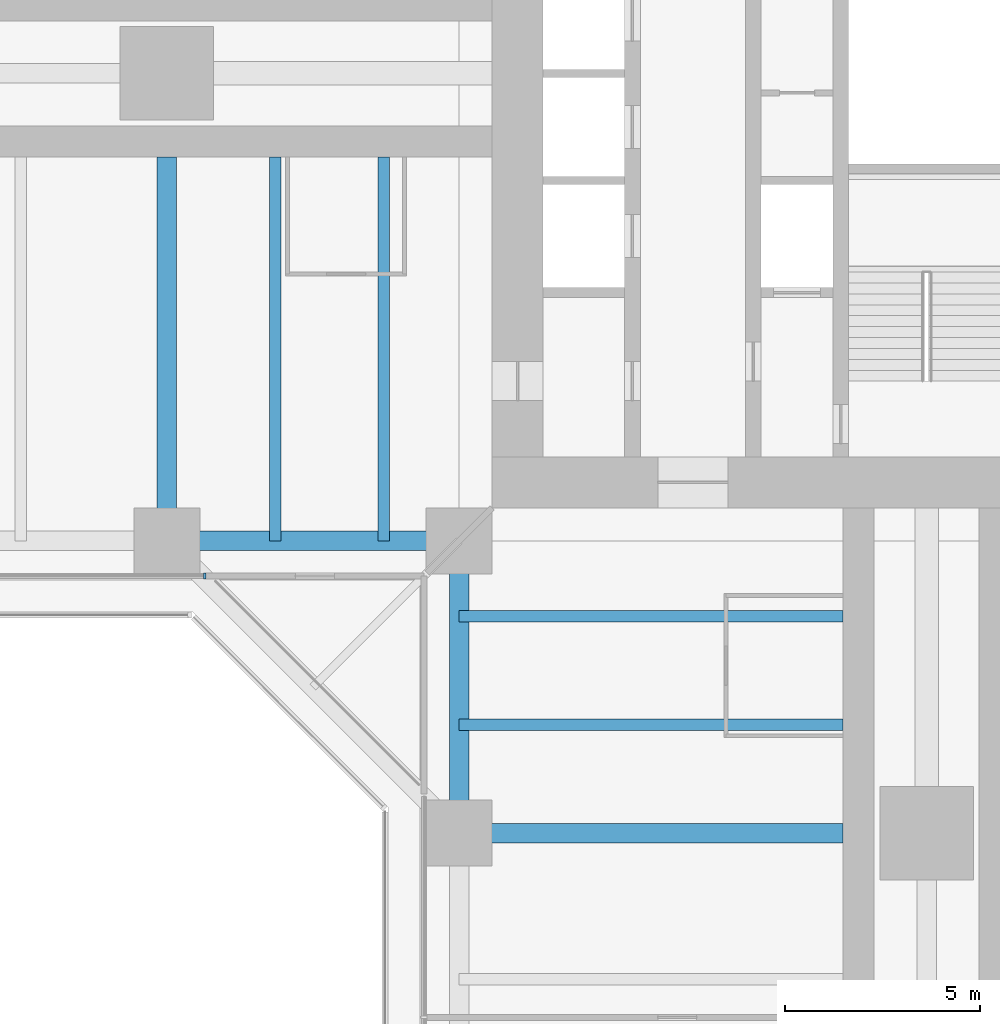
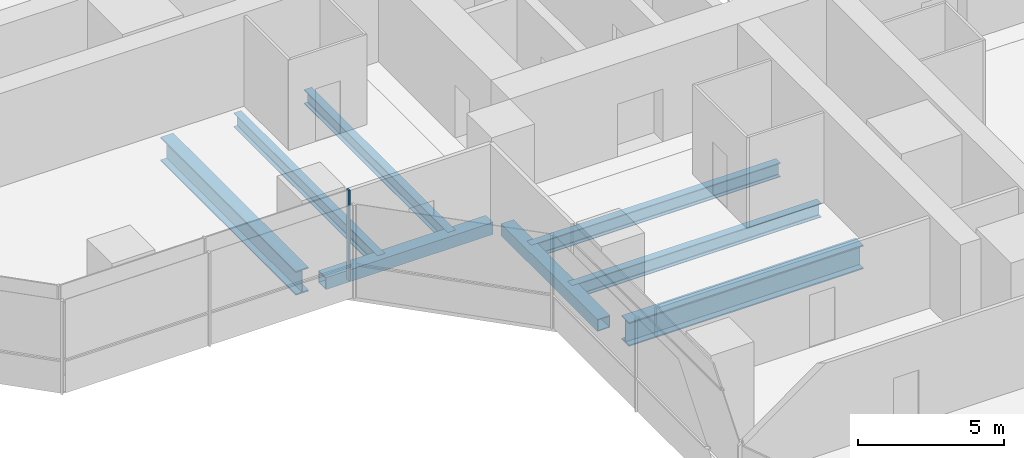
# One storey, part 4 of 22: 8 beams, 1 member, 1 element without a shape of its own.
"""IFC4 building model written with IfcOpenShell, lengths in metres."""

import ifcopenshell
import ifcopenshell.guid

model = None  # the IFC model being written
_history = None  # IfcOwnerHistory: only IFC2X3 demands one
_inside = {}  # id of a spatial element -> (the spatial element, [elements in it])
_under = {}  # id of a project, library or spatial element -> (it, [spatial elements below it])
_declared = {}  # id of a project -> (the project, [libraries it declares])
_typed = {}  # id of a type object -> (the type object, [elements of that type])
_made_of = {}  # id of a material, layer set ... -> (it, [elements and type objects made of it])


def new_model(schema):
    """Start an empty IFC model of exactly this schema.

    Asked for "IFC4X3", IfcOpenShell would pick the latest addendum, in which some entities
    have other attributes; the version numbers below select the first issue.
    IFC2X3 requires an IfcOwnerHistory on every rooted entity: one is made here for all.
    """
    global model, _history
    if schema == "IFC4X3":
        model = ifcopenshell.file(schema_version=(4, 3, 0, 0))
    else:
        model = ifcopenshell.file(schema=schema)
    _inside.clear()
    _under.clear()
    _declared.clear()
    _typed.clear()
    _made_of.clear()
    _history = None
    if model.schema == "IFC2X3":
        org = make("IfcOrganization", Name="unknown")
        user = make(
            "IfcPersonAndOrganization",
            ThePerson=make("IfcPerson", FamilyName="unknown"),
            TheOrganization=org,
        )
        app = make(
            "IfcApplication",
            ApplicationDeveloper=org,
            Version="unknown",
            ApplicationFullName="unknown",
            ApplicationIdentifier="unknown",
        )
        _history = make(
            "IfcOwnerHistory",
            OwningUser=user,
            OwningApplication=app,
            ChangeAction="ADDED",
            CreationDate=0,
        )
    return model


def make(cls, **values):
    """One entity of the class cls with the attributes given. An attribute that is None is left unset."""
    return model.create_entity(
        cls, **{name: value for name, value in values.items() if value is not None}
    )


def rooted(cls, **values):
    """An entity with a GlobalId (a new one), such as an element, a storey or a relation."""
    return make(cls, GlobalId=ifcopenshell.guid.new(), OwnerHistory=_history, **values)


def si_unit(unit_type, name, prefix=None):
    """IfcSIUnit, for example si_unit("LENGTHUNIT", "METRE", prefix="MILLI")."""
    return make("IfcSIUnit", UnitType=unit_type, Prefix=prefix, Name=name)


def assignment(units):
    """IfcUnitAssignment: the units of a project."""
    return None if units is None else make("IfcUnitAssignment", Units=units)


def point(xyz):
    """IfcCartesianPoint."""
    return None if xyz is None else make("IfcCartesianPoint", Coordinates=xyz)


def direction(xyz):
    """IfcDirection."""
    return None if xyz is None else make("IfcDirection", DirectionRatios=xyz)


def frame(location, z_axis=None, x_axis=None):
    """IfcAxis2Placement3D, a coordinate frame: its origin and axes. An axis left out is left unset."""
    return make(
        "IfcAxis2Placement3D",
        Location=point(location),
        Axis=direction(z_axis),
        RefDirection=direction(x_axis),
    )


def frame_2d(location, x_axis=None):
    """IfcAxis2Placement2D, a coordinate frame in the plane: its origin and x axis."""
    return make(
        "IfcAxis2Placement2D", Location=point(location), RefDirection=direction(x_axis)
    )


def origin():
    """The frame at (0, 0, 0) with its axes left unset."""
    return frame((0.0, 0.0, 0.0))


def origin_2d():
    """The frame at (0, 0) in the plane with its x axis left unset."""
    return frame_2d((0.0, 0.0))


def place(relative_to, where):
    """IfcLocalPlacement: puts the frame where relative to a parent placement (None: the world)."""
    return make(
        "IfcLocalPlacement", PlacementRelTo=relative_to, RelativePlacement=where
    )


def context(
    kind, dimensions, precision=None, world=None, true_north=None, identifier=None
):
    """IfcGeometricRepresentationContext, for example the 3D "Model" context."""
    return make(
        "IfcGeometricRepresentationContext",
        ContextIdentifier=identifier,
        ContextType=kind,
        CoordinateSpaceDimension=dimensions,
        Precision=precision,
        WorldCoordinateSystem=world,
        TrueNorth=true_north,
    )


def subcontext(parent, identifier, kind, view, scale=None):
    """IfcGeometricRepresentationSubContext, for example "Body" below "Model"."""
    return make(
        "IfcGeometricRepresentationSubContext",
        ContextIdentifier=identifier,
        ContextType=kind,
        ParentContext=parent,
        TargetScale=scale,
        TargetView=view,
    )


def project(units=None, contexts=None):
    """IfcProject with its units and contexts."""
    return rooted(
        "IfcProject",
        Name="project",
        RepresentationContexts=contexts,
        UnitsInContext=assignment(units),
    )


def spatial(cls, under=None, at=None, **own):
    """A site, building, storey or space (cls), placed at a placement, below another one or the project."""
    s = rooted(cls, ObjectPlacement=at, **own)
    if under is not None:
        _under.setdefault(under.id(), (under, []))[1].append(s)
    return s


def profile(cls, at=None, kind="AREA", **sizes):
    """A parametric profile (cls). Its sizes go by their IFC names, for example OverallWidth=200.0."""
    return make(cls, ProfileType=kind, Position=at, **sizes)


def rectangle(**sizes):
    """IfcRectangleProfileDef."""
    return profile("IfcRectangleProfileDef", **sizes)


def hollow_rectangle(**sizes):
    """IfcRectangleHollowProfileDef."""
    return profile("IfcRectangleHollowProfileDef", **sizes)


def i_section(**sizes):
    """IfcIShapeProfileDef."""
    return profile("IfcIShapeProfileDef", **sizes)


def extrude(swept, where, along, depth):
    """IfcExtrudedAreaSolid: the profile swept, set in the frame where, extruded along a direction by depth."""
    return make(
        "IfcExtrudedAreaSolid",
        SweptArea=swept,
        Position=where,
        ExtrudedDirection=direction(along),
        Depth=depth,
    )


def shape(context_of_items, identifier, shape_type, items):
    """IfcShapeRepresentation: the items that make up one representation, for example the "Body"."""
    return make(
        "IfcShapeRepresentation",
        ContextOfItems=context_of_items,
        RepresentationIdentifier=identifier,
        RepresentationType=shape_type,
        Items=items,
    )


def material(Name=None, Category=None):
    """IfcMaterial."""
    return make("IfcMaterial", Name=Name, Category=Category)


def material_profile(
    of_material, cross_section, Name=None, Category=None, Priority=None
):
    """IfcMaterialProfile: a cross section and its material."""
    return make(
        "IfcMaterialProfile",
        Name=Name,
        Material=of_material,
        Profile=cross_section,
        Priority=Priority,
        Category=Category,
    )


def profile_set(profiles, Name=None, composite=None):
    """IfcMaterialProfileSet."""
    return make(
        "IfcMaterialProfileSet",
        Name=Name,
        MaterialProfiles=profiles,
        CompositeProfile=composite,
    )


def made_of(thing, what):
    """Note that an element or type object is made of a material, layer set ...; save() writes the relation."""
    if what is not None:
        _made_of.setdefault(what.id(), (what, []))[1].append(thing)
    return thing


def type_object(cls, material=None, **own):
    """A type object (cls), such as IfcWallType, which elements share."""
    return made_of(rooted(cls, **own), material)


def element(
    cls,
    number,
    at=None,
    inside=None,
    cuts=None,
    type_object=None,
    material=None,
    context=None,
    identifier="Body",
    shape_type=None,
    held_by="IfcProductDefinitionShape",
    body=None,
    shapes=None,
    **own,
):
    """One element of the class cls, such as IfcWall. Its Tag is "e" and its number.

    at: its placement. inside: the storey or other place that contains it. cuts: it is an
    opening in that element (IfcRelVoidsElement). A single representation is given by context,
    identifier, shape_type and body (its items); several are given by shapes. held_by: the class
    of the entity that holds the representations. save() writes the other relations.
    """
    e = rooted(cls, Tag="e%d" % number, ObjectPlacement=at, **own)
    if body is not None:
        shapes = [shape(context, identifier, shape_type, body)]
    if shapes is not None:
        e.Representation = make(held_by, Representations=shapes)
    if inside is not None:
        _inside.setdefault(inside.id(), (inside, []))[1].append(e)
    if cuts is not None:
        rooted(
            "IfcRelVoidsElement", RelatingBuildingElement=cuts, RelatedOpeningElement=e
        )
    if type_object is not None:
        _typed.setdefault(type_object.id(), (type_object, []))[1].append(e)
    return made_of(e, material)


def aggregate(whole, parts):
    """IfcRelAggregates: a whole, such as a stair, and the parts it consists of."""
    return rooted("IfcRelAggregates", RelatingObject=whole, RelatedObjects=parts)


def save(model, path):
    """Write the relations noted so far, then the file.

    IfcRelAggregates (storeys below a building ...), IfcRelContainedInSpatialStructure (elements
    in a storey), IfcRelDefinesByType, IfcRelAssociatesMaterial and IfcRelDeclares: one each for
    every whole, place, type object, material and project.
    """
    for whole, parts in _under.values():
        aggregate(whole, parts)
    for where, things in _inside.values():
        rooted(
            "IfcRelContainedInSpatialStructure",
            RelatedElements=things,
            RelatingStructure=where,
        )
    for kind, things in _typed.values():
        rooted("IfcRelDefinesByType", RelatedObjects=things, RelatingType=kind)
    for what, things in _made_of.values():
        rooted("IfcRelAssociatesMaterial", RelatedObjects=things, RelatingMaterial=what)
    for by, libraries in _declared.values():
        rooted("IfcRelDeclares", RelatingContext=by, RelatedDefinitions=libraries)
    model.write(path)


model = new_model("IFC4")

# Units and contexts
model_context = context("Model", 3, precision=1e-05, world=origin(), true_north=direction((0.0, 1.0)))
body_context = subcontext(model_context, "Body", "Model", "MODEL_VIEW")
ifc_project = project(units=[si_unit("LENGTHUNIT", "METRE"), si_unit("AREAUNIT", "SQUARE_METRE"), si_unit("VOLUMEUNIT", "CUBIC_METRE"), si_unit("PLANEANGLEUNIT", "RADIAN"), si_unit("MASSUNIT", "GRAM", prefix="KILO")], contexts=[model_context])

# Site, building, storey
site_placement = place(None, origin())
site = spatial("IfcSite", under=ifc_project, at=site_placement, CompositionType="ELEMENT")
building_placement = place(site_placement, origin())
building = spatial("IfcBuilding", under=site, at=building_placement, Name="Mizan Broadcast Tower", CompositionType="ELEMENT")
storey_placement = place(building_placement, frame((0.0, 0.0, 90.300048828125)))
storey = spatial("IfcBuildingStorey", under=building, at=storey_placement, Name="L19", CompositionType="ELEMENT", Elevation=90.300048828125)

# Beams
ifc_material_1 = material(Name="Steel S355", Category="steel")
ifc_material_profile_1 = material_profile(ifc_material_1, hollow_rectangle(XDim=0.5, YDim=0.5, WallThickness=0.030029296875, at=origin_2d()), Name="BOX 500x500x30")
ifc_profile_set_1 = profile_set([ifc_material_profile_1], Name="Steel S355")
beam_type_1 = type_object("IfcBeamType", Name="EDGE BEAM BOX 500x500x30", PredefinedType="SPANDREL", material=ifc_profile_set_1)
for number, where, z_axis, x_axis, name in (
    (1, (-12.449951171875, -12.0, -0.380126953125), (-1.0, 0.0, 0.0), (0.0, -1.0, 0.0), "Edge beam BOX 500x500x30 L19 west arm"),
    (2, (-12.0, -12.449951171875, -0.380126953125), (0.0, -1.0, 0.0), (1.0, 0.0, 0.0), "Edge beam BOX 500x500x30 L19 south arm"),
):
    element("IfcBeam", number, at=place(storey_placement, frame(where, z_axis=z_axis, x_axis=x_axis)), inside=storey, type_object=beam_type_1, Name=name, PredefinedType="SPANDREL", context=body_context, shape_type="SweptSolid", body=[
        extrude(hollow_rectangle(XDim=0.5, YDim=0.5, WallThickness=0.030029296875, at=origin_2d()), origin(), (0.0, 0.0, 1.0), 6.60009765625),
    ])
ifc_material_2 = material(Name="Steel S460", Category="steel")
ifc_material_profile_2 = material_profile(ifc_material_2, i_section(OverallWidth=0.5, OverallDepth=1.0, WebThickness=0.02490234375, FlangeThickness=0.050048828125, at=origin_2d()), Name="WPG 1000x500")
ifc_profile_set_2 = profile_set([ifc_material_profile_2], Name="Steel S460")
beam_type_2 = type_object("IfcBeamType", Name="GIRDER WPG 1000x500", PredefinedType="BEAM", material=ifc_profile_set_2)
for number, where, z_axis, x_axis, name in (
    (3, (-19.5, -11.408935546875, -0.630126953125), (0.0, 1.0, 0.0), (-1.0, 0.0, 0.0), "Girder WPG 1000x500 L19 west arm"),
    (4, (-11.408935546875, -19.5, -0.630126953125), (1.0, 0.0, 0.0), (0.0, 1.0, 0.0), "Girder WPG 1000x500 L19 south arm"),
):
    element("IfcBeam", number, at=place(storey_placement, frame(where, z_axis=z_axis, x_axis=x_axis)), inside=storey, type_object=beam_type_2, Name=name, PredefinedType="BEAM", context=body_context, shape_type="SweptSolid", body=[
        extrude(i_section(OverallWidth=0.5, OverallDepth=1.0, WebThickness=0.02490234375, FlangeThickness=0.050048828125, at=origin_2d()), origin(), (0.0, 0.0, 1.0), 9.259033203125),
    ])

# Curtain wall, member
ifc_material_3 = material(Name="Aluminium framed glazing", Category="aluminium")
curtain_wall_type = type_object("IfcCurtainWallType", Name="INNER SKIN LOW ZONE", PredefinedType="USERDEFINED", material=ifc_material_3)
curtain_wall_placement = place(storey_placement, origin())
curtain_wall = element("IfcCurtainWall", 5, at=curtain_wall_placement, inside=storey, type_object=curtain_wall_type, Name="Inner skin low zone L19 W side", ObjectType="INNER SKIN LOW ZONE", PredefinedType="USERDEFINED")
ifc_material_4 = material(Name="Aluminium, pale anodised", Category="aluminium")
ifc_material_profile_3 = material_profile(ifc_material_4, rectangle(XDim=0.159912109375, YDim=0.06005859375, at=origin_2d()), Name="MULLION 160x60")
ifc_profile_set_3 = profile_set([ifc_material_profile_3], Name="Aluminium, pale anodised")
member_type = type_object("IfcMemberType", Name="INNER SKIN MULLION 60x160", PredefinedType="MULLION", material=ifc_profile_set_3)
member_placement = place(storey_placement, frame((-18.530029296875, -12.89990234375, 0.0), z_axis=(0.0, 0.0, 1.0), x_axis=(0.0, 1.0, 0.0)))
member = element("IfcMember", 6, at=member_placement, type_object=member_type, Name="Inner skin low zone L19 W side mullion 3", PredefinedType="MULLION", context=body_context, shape_type="SweptSolid", body=[
    extrude(rectangle(XDim=0.159912109375, YDim=0.06005859375, at=origin_2d()), origin(), (0.0, 0.0, 1.0), 3.77001953125),
])
aggregate(curtain_wall, [member])

# Beams
ifc_material_5 = material(Name="Steel S355", Category="steel")
ifc_material_profile_4 = material_profile(ifc_material_5, i_section(OverallWidth=0.300048828125, OverallDepth=0.590087890625, WebThickness=0.012939453125, FlangeThickness=0.02490234375, FilletRadius=0.027099609375, at=origin_2d()), Name="HEA 600")
ifc_profile_set_4 = profile_set([ifc_material_profile_4], Name="Steel S355")
beam_type_3 = type_object("IfcBeamType", Name="SECONDARY BEAM HEA 600", PredefinedType="JOIST", material=ifc_profile_set_4)
for number, where, z_axis, x_axis, name in (
    (7, (-13.933349609375, -12.0, -0.425048828125), (0.0, 1.0, 0.0), (-1.0, 0.0, 0.0), "Secondary beam HEA 600 L19 west arm"),
    (8, (-16.716552734375, -12.0, -0.425048828125), (0.0, 1.0, 0.0), (-1.0, 0.0, 0.0), "Secondary beam HEA 600 L19 west arm"),
    (9, (-12.0, -13.933349609375, -0.425048828125), (1.0, 0.0, 0.0), (0.0, 1.0, 0.0), "Secondary beam HEA 600 L19 south arm"),
    (10, (-12.0, -16.716552734375, -0.425048828125), (1.0, 0.0, 0.0), (0.0, 1.0, 0.0), "Secondary beam HEA 600 L19 south arm"),
):
    element("IfcBeam", number, at=place(storey_placement, frame(where, z_axis=z_axis, x_axis=x_axis)), inside=storey, type_object=beam_type_3, Name=name, PredefinedType="JOIST", context=body_context, shape_type="SweptSolid", body=[
        extrude(i_section(OverallWidth=0.300048828125, OverallDepth=0.590087890625, WebThickness=0.012939453125, FlangeThickness=0.02490234375, FilletRadius=0.027099609375, at=origin_2d()), origin(), (0.0, 0.0, 1.0), 9.85009765625),
    ])

save(model, "model.ifc")
